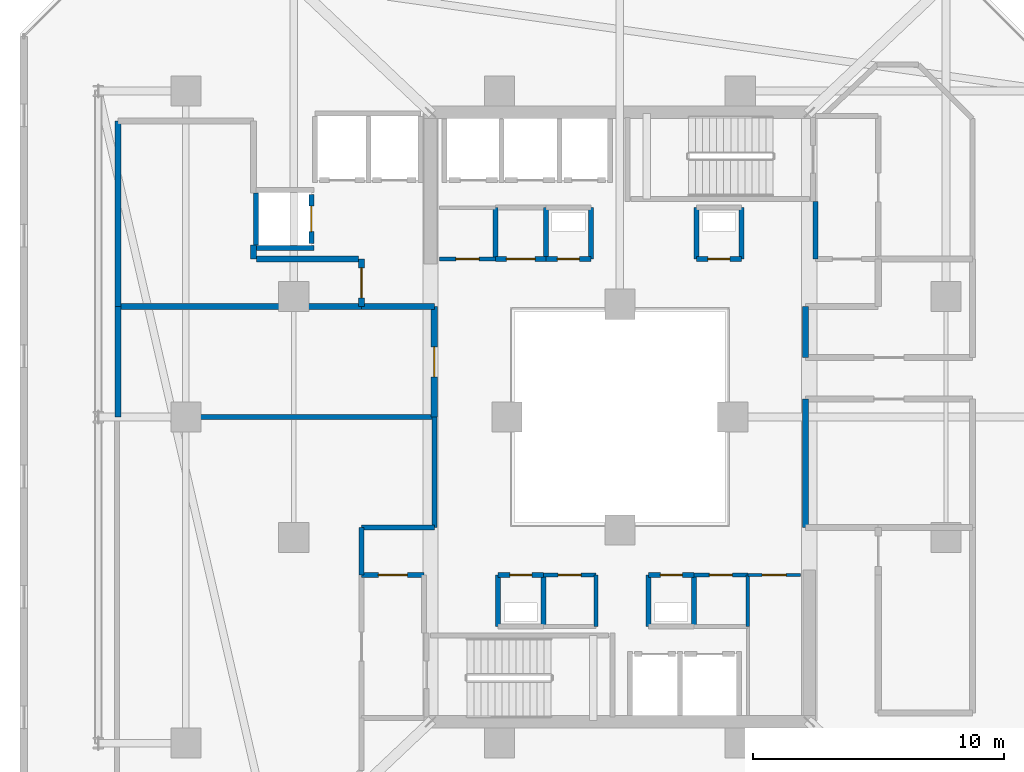
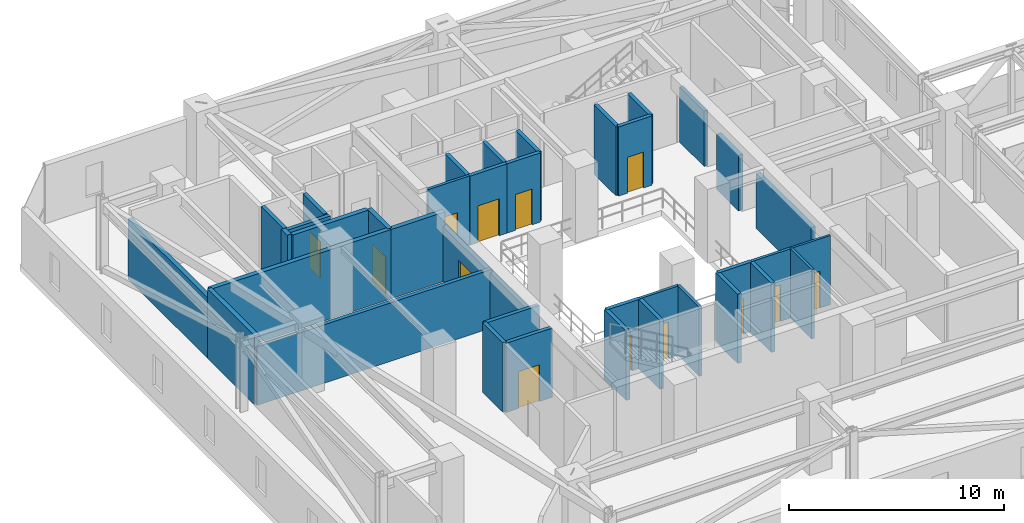
# One storey, part 36 of 45: 39 walls, 13 doors, 13 openings.
"""IFC4 building model written with IfcOpenShell, lengths in metres."""

from ifc_helpers import new_model, si_unit, direction, frame, frame_2d, origin, place, context, subcontext, project, spatial, rectangle, extrude, material, layer, layer_set, type_object, element, fill, save


model = new_model("IFC4")

# Units and contexts
model_context = context("Model", 3, precision=1e-05, world=origin(), true_north=direction((0.0, 1.0)))
body_context = subcontext(model_context, "Body", "Model", "MODEL_VIEW")
ifc_project = project(units=[si_unit("LENGTHUNIT", "METRE"), si_unit("AREAUNIT", "SQUARE_METRE"), si_unit("VOLUMEUNIT", "CUBIC_METRE"), si_unit("PLANEANGLEUNIT", "RADIAN"), si_unit("MASSUNIT", "GRAM", prefix="KILO")], contexts=[model_context])

# Site, building, storey
site_placement = place(None, origin())
site = spatial("IfcSite", under=ifc_project, at=site_placement, CompositionType="ELEMENT")
building_placement = place(site_placement, origin())
building = spatial("IfcBuilding", under=site, at=building_placement, Name="Thornwick Lancets Civic Towers", CompositionType="ELEMENT")
storey_placement = place(building_placement, frame((0.0, 0.0, 141.300048828125)))
storey = spatial("IfcBuildingStorey", under=building, at=storey_placement, Name="L37", CompositionType="ELEMENT", Elevation=141.300048828125)

# Wall, opening, door
ifc_material_1 = material(Name="Concrete blockwork C40/50", Category="masonry")
ifc_layer_1 = layer(ifc_material_1, 0.199951171875, Name="Concrete blockwork C40/50")
ifc_layer_set_1 = layer_set([ifc_layer_1], Name="Concrete blockwork C40/50")
wall_type_1 = type_object("IfcWallType", Name="WALL_COMP_200", PredefinedType="STANDARD", material=ifc_layer_set_1)
wall_1_placement = place(storey_placement, frame((13.199951171875, 33.929931640625, 0.0), z_axis=(0.0, 0.0, 1.0), x_axis=(0.0, 1.0, 0.0)))
wall_1 = element("IfcWall", 1, at=wall_1_placement, inside=storey, type_object=wall_type_1, Name="L37 Hoistway Front Wall PL-AM3", PredefinedType="STANDARD", context=body_context, shape_type="SweptSolid", body=[
    extrude(rectangle(XDim=1.940185546875, YDim=0.199951171875, at=frame_2d((0.97021484375, 0.0))), origin(), (0.0, 0.0, 1.0), 3.93994140625),
])
opening_1_placement = place(wall_1_placement, frame((0.4599609375, 0.0, 0.0)))
opening_1 = element("IfcOpeningElement", 2, at=opening_1_placement, cuts=wall_1, Name="Opening LD-PL-AM3", PredefinedType="OPENING", context=body_context, shape_type="SweptSolid", body=[
    extrude(rectangle(XDim=1.02001953125, YDim=2.06005859375, at=frame_2d((0.510009765625, 1.030029296875))), frame((0.0, 0.10986328125, 0.0), z_axis=(0.0, -1.0, 0.0), x_axis=(1.0, 0.0, 0.0)), (0.0, 0.0, 1.0), 0.219970703125),
])
ifc_material_2 = material(Name="Brushed bronze stainless steel", Category="steel")
door_type_1 = type_object("IfcDoorType", Name="DOOR_LIFT_SLIDE", OperationType="SLIDING_TO_LEFT", PredefinedType="DOOR", material=ifc_material_2)
door_1_placement = place(opening_1_placement, origin())
door_1 = element("IfcDoor", 3, at=door_1_placement, inside=storey, type_object=door_type_1, Name="L37 Sliding Lift Landing Door LD-PL-AM3", OperationType="SLIDING_TO_LEFT", OverallHeight=2.06005859375, OverallWidth=1.02001953125, PredefinedType="DOOR", context=body_context, shape_type="SweptSolid", body=[
    extrude(rectangle(XDim=1.02001953125, YDim=2.06005859375, at=frame_2d((0.510009765625, 1.030029296875))), frame((0.0, 0.02490234375, 0.0), z_axis=(0.0, -1.0, 0.0), x_axis=(1.0, 0.0, 0.0)), (0.0, 0.0, 1.0), 0.050048828125),
])
fill(opening_1, door_1)

# Walls
wall_2_placement = place(storey_placement, frame((11.001953125, 33.75, 0.0), z_axis=(0.0, 0.0, 1.0), x_axis=(1.0, 0.0, 0.0)))
element("IfcWall", 4, at=wall_2_placement, inside=storey, type_object=wall_type_1, Name="L37 Hoistway Shaft Wall PL-AM3 S", PredefinedType="STANDARD", context=body_context, shape_type="SweptSolid", body=[
    extrude(rectangle(XDim=2.296142578125, YDim=0.199951171875, at=frame_2d((1.14794921875, 0.0))), origin(), (0.0, 0.0, 1.0), 3.93994140625),
])
wall_3_placement = place(storey_placement, frame((11.0, 33.862060546875, 0.0), z_axis=(0.0, 0.0, 1.0), x_axis=(0.0, 1.0, 0.0)))
element("IfcWall", 5, at=wall_3_placement, inside=storey, type_object=wall_type_1, Name="L37 Hoistway Shaft Wall PL-AM3 W", PredefinedType="STANDARD", context=body_context, shape_type="SweptSolid", body=[
    extrude(rectangle(XDim=2.075927734375, YDim=0.199951171875, at=frame_2d((1.0380859375, 0.0))), origin(), (0.0, 0.0, 1.0), 3.93994140625),
])

# Wall, opening, door
wall_4_placement = place(storey_placement, frame((17.699951171875, 20.699951171875, 0.0), z_axis=(0.0, 0.0, 1.0), x_axis=(-1.0, 0.0, 0.0)))
wall_4 = element("IfcWall", 6, at=wall_4_placement, inside=storey, type_object=wall_type_1, Name="L37 Partition L37-A-FFLOB1 E3", PredefinedType="STANDARD", context=body_context, shape_type="SweptSolid", body=[
    extrude(rectangle(XDim=2.5, YDim=0.199951171875, at=frame_2d((1.25, 0.0))), origin(), (0.0, 0.0, 1.0), 3.93994140625),
])
opening_2_placement = place(wall_4_placement, frame((0.675048828125, 0.0, 0.0)))
opening_2 = element("IfcOpeningElement", 7, at=opening_2_placement, cuts=wall_4, Name="Opening D-L37-1667", PredefinedType="OPENING", context=body_context, shape_type="SweptSolid", body=[
    extrude(rectangle(XDim=1.14990234375, YDim=2.10009765625, at=frame_2d((0.574951171875, 1.050048828125))), frame((0.0, 0.10986328125, 0.0), z_axis=(0.0, -1.0, 0.0), x_axis=(1.0, 0.0, 0.0)), (0.0, 0.0, 1.0), 0.219970703125),
])
ifc_material_3 = material(Name="Glazed fire-resisting steel", Category="steel")
door_type_2 = type_object("IfcDoorType", Name="DOOR_LOBBY_FD60", OperationType="NOTDEFINED", PredefinedType="DOOR", material=ifc_material_3)
door_2_placement = place(opening_2_placement, origin())
door_2 = element("IfcDoor", 8, at=door_2_placement, inside=storey, type_object=door_type_2, Name="L37 South Firefighting Lobby 1 Door", OperationType="SINGLE_SWING_RIGHT", OverallHeight=2.10009765625, OverallWidth=1.14990234375, PredefinedType="DOOR", context=body_context, shape_type="SweptSolid", body=[
    extrude(rectangle(XDim=1.14990234375, YDim=2.10009765625, at=frame_2d((0.574951171875, 1.050048828125))), frame((0.0, 0.02490234375, 0.0), z_axis=(0.0, -1.0, 0.0), x_axis=(1.0, 0.0, 0.0)), (0.0, 0.0, 1.0), 0.050048828125),
])
fill(opening_2, door_2)

# Walls
wall_5_placement = place(storey_placement, frame((33.300048828125, 35.60009765625, 0.0), z_axis=(0.0, 0.0, 1.0), x_axis=(0.0, -1.0, 0.0)))
element("IfcWall", 9, at=wall_5_placement, inside=storey, type_object=wall_type_1, Name="L37 Partition L37-A-FFLOB2 E4", PredefinedType="STANDARD", context=body_context, shape_type="SweptSolid", body=[
    extrude(rectangle(XDim=2.300048828125, YDim=0.199951171875, at=frame_2d((1.14990234375, 0.0))), origin(), (0.0, 0.0, 1.0), 3.14501953125),
])
wall_6_placement = place(storey_placement, frame((28.449951171875, 18.64990234375, 0.0), z_axis=(0.0, 0.0, 1.0), x_axis=(0.0, 1.0, 0.0)))
element("IfcWall", 10, at=wall_6_placement, inside=storey, type_object=wall_type_1, Name="L37 Partition L37-A-DUCT1 E2", PredefinedType="STANDARD", context=body_context, shape_type="SweptSolid", body=[
    extrude(rectangle(XDim=2.050048828125, YDim=0.199951171875, at=frame_2d((1.02490234375, 0.0))), origin(), (0.0, 0.0, 1.0), 3.93994140625),
])

# Wall, opening, door
wall_7_placement = place(storey_placement, frame((28.449951171875, 20.699951171875, 0.0), z_axis=(0.0, 0.0, 1.0), x_axis=(-1.0, 0.0, 0.0)))
wall_7 = element("IfcWall", 11, at=wall_7_placement, inside=storey, type_object=wall_type_1, Name="L37 Partition L37-A-DUCT1 E3", PredefinedType="STANDARD", context=body_context, shape_type="SweptSolid", body=[
    extrude(rectangle(XDim=1.800048828125, YDim=0.199951171875, at=frame_2d((0.89990234375, 0.0))), origin(), (0.0, 0.0, 1.0), 3.93994140625),
])
opening_3_placement = place(wall_7_placement, frame((0.4599609375, 0.0, 0.0)))
opening_3 = element("IfcOpeningElement", 12, at=opening_3_placement, cuts=wall_7, Name="Opening D-L37-1669", PredefinedType="OPENING", context=body_context, shape_type="SweptSolid", body=[
    extrude(rectangle(XDim=0.8798828125, YDim=2.0400390625, at=frame_2d((0.43994140625, 1.02001953125))), frame((0.0, 0.10986328125, 0.0), z_axis=(0.0, -1.0, 0.0), x_axis=(1.0, 0.0, 0.0)), (0.0, 0.0, 1.0), 0.219970703125),
])
ifc_material_4 = material(Name="Steel riser access doorset", Category="steel")
door_type_3 = type_object("IfcDoorType", Name="DOOR_RISER_850", OperationType="NOTDEFINED", PredefinedType="DOOR", material=ifc_material_4)
door_3_placement = place(opening_3_placement, origin())
door_3 = element("IfcDoor", 13, at=door_3_placement, inside=storey, type_object=door_type_3, Name="L37 South Service Duct 1 Door", OperationType="SINGLE_SWING_RIGHT", OverallHeight=2.0400390625, OverallWidth=0.8798828125, PredefinedType="DOOR", context=body_context, shape_type="SweptSolid", body=[
    extrude(rectangle(XDim=0.8798828125, YDim=2.0400390625, at=frame_2d((0.43994140625, 1.02001953125))), frame((0.0, 0.02490234375, 0.0), z_axis=(0.0, -1.0, 0.0), x_axis=(1.0, 0.0, 0.0)), (0.0, 0.0, 1.0), 0.050048828125),
])
fill(opening_3, door_3)

# Walls
for number, where, z_axis, x_axis, name in (
    (14, (26.64990234375, 20.699951171875, 0.0), (0.0, 0.0, 1.0), (0.0, -1.0, 0.0), "L37 Partition L37-A-DUCT1 E4"),
    (15, (22.449951171875, 18.64990234375, 0.0), (0.0, 0.0, 1.0), (0.0, 1.0, 0.0), "L37 Partition L37-A-RISER1 E2"),
):
    element("IfcWall", number, at=place(storey_placement, frame(where, z_axis=z_axis, x_axis=x_axis)), inside=storey, type_object=wall_type_1, Name=name, PredefinedType="STANDARD", context=body_context, shape_type="SweptSolid", body=[
        extrude(rectangle(XDim=2.050048828125, YDim=0.199951171875, at=frame_2d((1.02490234375, 0.0))), origin(), (0.0, 0.0, 1.0), 3.93994140625),
    ])

# Wall, opening, door
wall_8_placement = place(storey_placement, frame((22.449951171875, 20.699951171875, 0.0), z_axis=(0.0, 0.0, 1.0), x_axis=(-1.0, 0.0, 0.0)))
wall_8 = element("IfcWall", 16, at=wall_8_placement, inside=storey, type_object=wall_type_1, Name="L37 Partition L37-A-RISER1 E3", PredefinedType="STANDARD", context=body_context, shape_type="SweptSolid", body=[
    extrude(rectangle(XDim=1.800048828125, YDim=0.199951171875, at=frame_2d((0.89990234375, 0.0))), origin(), (0.0, 0.0, 1.0), 3.93994140625),
])
opening_4_placement = place(wall_8_placement, frame((0.4599609375, 0.0, 0.0)))
opening_4 = element("IfcOpeningElement", 17, at=opening_4_placement, cuts=wall_8, Name="Opening D-L37-1670", PredefinedType="OPENING", context=body_context, shape_type="SweptSolid", body=[
    extrude(rectangle(XDim=0.8798828125, YDim=2.0400390625, at=frame_2d((0.43994140625, 1.02001953125))), frame((0.0, 0.10986328125, 0.0), z_axis=(0.0, -1.0, 0.0), x_axis=(1.0, 0.0, 0.0)), (0.0, 0.0, 1.0), 0.219970703125),
])
door_4_placement = place(opening_4_placement, origin())
door_4 = element("IfcDoor", 18, at=door_4_placement, inside=storey, type_object=door_type_3, Name="L37 South Electrical Riser 1 Door", OperationType="SINGLE_SWING_LEFT", OverallHeight=2.0400390625, OverallWidth=0.8798828125, PredefinedType="DOOR", context=body_context, shape_type="SweptSolid", body=[
    extrude(rectangle(XDim=0.8798828125, YDim=2.0400390625, at=frame_2d((0.43994140625, 1.02001953125))), frame((0.0, 0.02490234375, 0.0), z_axis=(0.0, -1.0, 0.0), x_axis=(1.0, 0.0, 0.0)), (0.0, 0.0, 1.0), 0.050048828125),
])
fill(opening_4, door_4)

# Wall
wall_9_placement = place(storey_placement, frame((20.64990234375, 20.699951171875, 0.0), z_axis=(0.0, 0.0, 1.0), x_axis=(0.0, -1.0, 0.0)))
element("IfcWall", 19, at=wall_9_placement, inside=storey, type_object=wall_type_1, Name="L37 Partition L37-A-RISER1 E4", PredefinedType="STANDARD", context=body_context, shape_type="SweptSolid", body=[
    extrude(rectangle(XDim=2.050048828125, YDim=0.199951171875, at=frame_2d((1.02490234375, 0.0))), origin(), (0.0, 0.0, 1.0), 3.93994140625),
])

# Wall, opening, door
wall_10_placement = place(storey_placement, frame((22.550048828125, 33.300048828125, 0.0), z_axis=(0.0, 0.0, 1.0), x_axis=(1.0, 0.0, 0.0)))
wall_10 = element("IfcWall", 20, at=wall_10_placement, inside=storey, type_object=wall_type_1, Name="L37 Partition L37-A-DUCT2 E1", PredefinedType="STANDARD", context=body_context, shape_type="SweptSolid", body=[
    extrude(rectangle(XDim=1.800048828125, YDim=0.199951171875, at=frame_2d((0.89990234375, 0.0))), origin(), (0.0, 0.0, 1.0), 3.93994140625),
])
opening_5_placement = place(wall_10_placement, frame((0.4599609375, 0.0, 0.0)))
opening_5 = element("IfcOpeningElement", 21, at=opening_5_placement, cuts=wall_10, Name="Opening D-L37-1671", PredefinedType="OPENING", context=body_context, shape_type="SweptSolid", body=[
    extrude(rectangle(XDim=0.8798828125, YDim=2.0400390625, at=frame_2d((0.43994140625, 1.02001953125))), frame((0.0, 0.10986328125, 0.0), z_axis=(0.0, -1.0, 0.0), x_axis=(1.0, 0.0, 0.0)), (0.0, 0.0, 1.0), 0.219970703125),
])
door_5_placement = place(opening_5_placement, origin())
door_5 = element("IfcDoor", 22, at=door_5_placement, inside=storey, type_object=door_type_3, Name="L37 North Service Duct 2 Door", OperationType="SINGLE_SWING_RIGHT", OverallHeight=2.0400390625, OverallWidth=0.8798828125, PredefinedType="DOOR", context=body_context, shape_type="SweptSolid", body=[
    extrude(rectangle(XDim=0.8798828125, YDim=2.0400390625, at=frame_2d((0.43994140625, 1.02001953125))), frame((0.0, 0.02490234375, 0.0), z_axis=(0.0, -1.0, 0.0), x_axis=(1.0, 0.0, 0.0)), (0.0, 0.0, 1.0), 0.050048828125),
])
fill(opening_5, door_5)

# Walls
for number, where, z_axis, x_axis, name in (
    (23, (24.35009765625, 33.300048828125, 0.0), (0.0, 0.0, 1.0), (0.0, 1.0, 0.0), "L37 Partition L37-A-DUCT2 E2"),
    (24, (22.550048828125, 35.35009765625, 0.0), (0.0, 0.0, 1.0), (0.0, -1.0, 0.0), "L37 Partition L37-A-DUCT2 E4"),
):
    element("IfcWall", number, at=place(storey_placement, frame(where, z_axis=z_axis, x_axis=x_axis)), inside=storey, type_object=wall_type_1, Name=name, PredefinedType="STANDARD", context=body_context, shape_type="SweptSolid", body=[
        extrude(rectangle(XDim=2.050048828125, YDim=0.199951171875, at=frame_2d((1.02490234375, 0.0))), origin(), (0.0, 0.0, 1.0), 3.93994140625),
    ])

# Wall, opening, door
wall_11_placement = place(storey_placement, frame((28.550048828125, 33.300048828125, 0.0), z_axis=(0.0, 0.0, 1.0), x_axis=(1.0, 0.0, 0.0)))
wall_11 = element("IfcWall", 25, at=wall_11_placement, inside=storey, type_object=wall_type_1, Name="L37 Partition L37-A-RISER2 E1", PredefinedType="STANDARD", context=body_context, shape_type="SweptSolid", body=[
    extrude(rectangle(XDim=1.800048828125, YDim=0.199951171875, at=frame_2d((0.89990234375, 0.0))), origin(), (0.0, 0.0, 1.0), 3.93994140625),
])
opening_6_placement = place(wall_11_placement, frame((0.4599609375, 0.0, 0.0)))
opening_6 = element("IfcOpeningElement", 26, at=opening_6_placement, cuts=wall_11, Name="Opening D-L37-1672", PredefinedType="OPENING", context=body_context, shape_type="SweptSolid", body=[
    extrude(rectangle(XDim=0.8798828125, YDim=2.0400390625, at=frame_2d((0.43994140625, 1.02001953125))), frame((0.0, 0.10986328125, 0.0), z_axis=(0.0, -1.0, 0.0), x_axis=(1.0, 0.0, 0.0)), (0.0, 0.0, 1.0), 0.219970703125),
])
door_6_placement = place(opening_6_placement, origin())
door_6 = element("IfcDoor", 27, at=door_6_placement, inside=storey, type_object=door_type_3, Name="L37 North Service Riser 2 Door", OperationType="SINGLE_SWING_LEFT", OverallHeight=2.0400390625, OverallWidth=0.8798828125, PredefinedType="DOOR", context=body_context, shape_type="SweptSolid", body=[
    extrude(rectangle(XDim=0.8798828125, YDim=2.0400390625, at=frame_2d((0.43994140625, 1.02001953125))), frame((0.0, 0.02490234375, 0.0), z_axis=(0.0, -1.0, 0.0), x_axis=(1.0, 0.0, 0.0)), (0.0, 0.0, 1.0), 0.050048828125),
])
fill(opening_6, door_6)

# Walls
for number, where, z_axis, x_axis, name in (
    (28, (30.35009765625, 33.300048828125, 0.0), (0.0, 0.0, 1.0), (0.0, 1.0, 0.0), "L37 Partition L37-A-RISER2 E2"),
    (29, (28.550048828125, 35.35009765625, 0.0), (0.0, 0.0, 1.0), (0.0, -1.0, 0.0), "L37 Partition L37-A-RISER2 E4"),
    (30, (20.550048828125, 33.300048828125, 0.0), (0.0, 0.0, 1.0), (0.0, 1.0, 0.0), "L37 Partition L37-A-STR E1"),
):
    element("IfcWall", number, at=place(storey_placement, frame(where, z_axis=z_axis, x_axis=x_axis)), inside=storey, type_object=wall_type_1, Name=name, PredefinedType="STANDARD", context=body_context, shape_type="SweptSolid", body=[
        extrude(rectangle(XDim=2.050048828125, YDim=0.199951171875, at=frame_2d((1.02490234375, 0.0))), origin(), (0.0, 0.0, 1.0), 3.93994140625),
    ])

# Wall, opening, door
wall_12_placement = place(storey_placement, frame((22.550048828125, 33.300048828125, 0.0), z_axis=(0.0, 0.0, 1.0), x_axis=(-1.0, 0.0, 0.0)))
wall_12 = element("IfcWall", 31, at=wall_12_placement, inside=storey, type_object=wall_type_1, Name="L37 Partition L37-A-STR E4", PredefinedType="STANDARD", context=body_context, shape_type="SweptSolid", body=[
    extrude(rectangle(XDim=2.0, YDim=0.199951171875, at=frame_2d((1.0, 0.0))), origin(), (0.0, 0.0, 1.0), 3.93994140625),
])
opening_7_placement = place(wall_12_placement, frame((0.425048828125, 0.0, 0.0)))
opening_7 = element("IfcOpeningElement", 32, at=opening_7_placement, cuts=wall_12, Name="Opening D-L37-1677", PredefinedType="OPENING", context=body_context, shape_type="SweptSolid", body=[
    extrude(rectangle(XDim=1.14990234375, YDim=2.10009765625, at=frame_2d((0.574951171875, 1.050048828125))), frame((0.0, 0.10986328125, 0.0), z_axis=(0.0, -1.0, 0.0), x_axis=(1.0, 0.0, 0.0)), (0.0, 0.0, 1.0), 0.219970703125),
])
door_7_placement = place(opening_7_placement, origin())
door_7 = element("IfcDoor", 33, at=door_7_placement, inside=storey, type_object=door_type_2, Name="L37 Tower A Core Records Store Door", OperationType="SINGLE_SWING_RIGHT", OverallHeight=2.10009765625, OverallWidth=1.14990234375, PredefinedType="DOOR", context=body_context, shape_type="SweptSolid", body=[
    extrude(rectangle(XDim=1.14990234375, YDim=2.10009765625, at=frame_2d((0.574951171875, 1.050048828125))), frame((0.0, 0.02490234375, 0.0), z_axis=(0.0, -1.0, 0.0), x_axis=(1.0, 0.0, 0.0)), (0.0, 0.0, 1.0), 0.050048828125),
])
fill(opening_7, door_7)

# Walls
wall_13_placement = place(storey_placement, frame((18.10009765625, 22.60009765625, 0.0), z_axis=(0.0, 0.0, 1.0), x_axis=(-1.0, 0.0, 0.0)))
element("IfcWall", 34, at=wall_13_placement, inside=storey, type_object=wall_type_1, Name="L37 Partition L37-A-REF1 E1", PredefinedType="STANDARD", context=body_context, shape_type="SweptSolid", body=[
    extrude(rectangle(XDim=2.900146484375, YDim=0.199951171875, at=frame_2d((1.4501953125, 0.0))), origin(), (0.0, 0.0, 1.0), 3.93994140625),
])
wall_14_placement = place(storey_placement, frame((15.199951171875, 22.60009765625, 0.0), z_axis=(0.0, 0.0, 1.0), x_axis=(0.0, -1.0, 0.0)))
element("IfcWall", 35, at=wall_14_placement, inside=storey, type_object=wall_type_1, Name="L37 Partition L37-A-REF1 E2", PredefinedType="STANDARD", context=body_context, shape_type="SweptSolid", body=[
    extrude(rectangle(XDim=1.900146484375, YDim=0.199951171875, at=frame_2d((0.9501953125, 0.0))), origin(), (0.0, 0.0, 1.0), 3.93994140625),
])
wall_15_placement = place(storey_placement, frame((5.449951171875, 27.0, 0.0), z_axis=(0.0, 0.0, 1.0), x_axis=(1.0, 0.0, 0.0)))
element("IfcWall", 36, at=wall_15_placement, inside=storey, type_object=wall_type_1, Name="L37 Partition L37-A-REF1 E9", PredefinedType="STANDARD", context=body_context, shape_type="SweptSolid", body=[
    extrude(rectangle(XDim=12.650146484375, YDim=0.199951171875, at=frame_2d((6.3251953125, 0.0))), origin(), (0.0, 0.0, 1.0), 3.32470703125),
])
wall_16_placement = place(storey_placement, frame((18.10009765625, 27.0, 0.0), z_axis=(0.0, 0.0, 1.0), x_axis=(0.0, -1.0, 0.0)))
element("IfcWall", 37, at=wall_16_placement, inside=storey, type_object=wall_type_1, Name="L37 Partition L37-A-REF1 E10", PredefinedType="STANDARD", context=body_context, shape_type="SweptSolid", body=[
    extrude(rectangle(XDim=4.39990234375, YDim=0.199951171875, at=frame_2d((2.199951171875, 0.0))), origin(), (0.0, 0.0, 1.0), 3.14501953125),
])
ifc_layer_2 = layer(ifc_material_1, 0.239990234375, Name="Concrete blockwork C40/50")
ifc_layer_set_2 = layer_set([ifc_layer_2], Name="Concrete blockwork C40/50")
wall_type_2 = type_object("IfcWallType", Name="WALL_COMP_240", PredefinedType="STANDARD", material=ifc_layer_set_2)
wall_17_placement = place(storey_placement, frame((32.89990234375, 22.60009765625, 0.0), z_axis=(0.0, 0.0, 1.0), x_axis=(0.0, 1.0, 0.0)))
element("IfcWall", 38, at=wall_17_placement, inside=storey, type_object=wall_type_2, Name="L37 Partition L37-A-PL-SMK E5", PredefinedType="STANDARD", context=body_context, shape_type="SweptSolid", body=[
    extrude(rectangle(XDim=5.119873046875, YDim=0.239990234375, at=frame_2d((2.56005859375, 0.0))), origin(), (0.0, 0.0, 1.0), 3.14501953125),
])
wall_18_placement = place(storey_placement, frame((32.89990234375, 29.3798828125, 0.0), z_axis=(0.0, 0.0, 1.0), x_axis=(0.0, 1.0, 0.0)))
element("IfcWall", 39, at=wall_18_placement, inside=storey, type_object=wall_type_2, Name="L37 Partition L37-A-PL-PRS E6", PredefinedType="STANDARD", context=body_context, shape_type="SweptSolid", body=[
    extrude(rectangle(XDim=2.02001953125, YDim=0.239990234375, at=frame_2d((1.010009765625, 0.0))), origin(), (0.0, 0.0, 1.0), 3.14501953125),
])
wall_19_placement = place(storey_placement, frame((5.5, 31.39990234375, 0.0), z_axis=(0.0, 0.0, 1.0), x_axis=(1.0, 0.0, 0.0)))
element("IfcWall", 40, at=wall_19_placement, inside=storey, type_object=wall_type_2, Name="L37 Partition L37-A-PL-AHU E1", PredefinedType="STANDARD", context=body_context, shape_type="SweptSolid", body=[
    extrude(rectangle(XDim=9.699951171875, YDim=0.239990234375, at=frame_2d((4.85009765625, 0.0))), origin(), (0.0, 0.0, 1.0), 3.93994140625),
])
wall_20_placement = place(storey_placement, frame((15.199951171875, 31.39990234375, 0.0), z_axis=(0.0, 0.0, 1.0), x_axis=(1.0, 0.0, 0.0)))
element("IfcWall", 41, at=wall_20_placement, inside=storey, type_object=wall_type_2, Name="L37 Partition L37-A-PL-AHU E2", PredefinedType="STANDARD", context=body_context, shape_type="SweptSolid", body=[
    extrude(rectangle(XDim=2.900146484375, YDim=0.239990234375, at=frame_2d((1.4501953125, 0.0))), origin(), (0.0, 0.0, 1.0), 3.93994140625),
])

# Wall, opening, door
wall_21_placement = place(storey_placement, frame((18.10009765625, 31.39990234375, 0.0), z_axis=(0.0, 0.0, 1.0), x_axis=(0.0, -1.0, 0.0)))
wall_21 = element("IfcWall", 42, at=wall_21_placement, inside=storey, type_object=wall_type_2, Name="L37 Partition L37-A-PL-AHU E3", PredefinedType="STANDARD", context=body_context, shape_type="SweptSolid", body=[
    extrude(rectangle(XDim=4.39990234375, YDim=0.239990234375, at=frame_2d((2.199951171875, 0.0))), origin(), (0.0, 0.0, 1.0), 3.14501953125),
])
opening_8_placement = place(wall_21_placement, frame((1.60009765625, 0.0, 0.0)))
opening_8 = element("IfcOpeningElement", 43, at=opening_8_placement, cuts=wall_21, Name="Opening D-L37-1693", PredefinedType="OPENING", context=body_context, shape_type="SweptSolid", body=[
    extrude(rectangle(XDim=1.199951171875, YDim=2.10009765625, at=frame_2d((0.60009765625, 1.050048828125))), frame((0.0, 0.1298828125, 0.0), z_axis=(0.0, -1.0, 0.0), x_axis=(1.0, 0.0, 0.0)), (0.0, 0.0, 1.0), 0.260009765625),
])
ifc_material_5 = material(Name="Steel plant room doorset", Category="steel")
door_type_4 = type_object("IfcDoorType", Name="DOOR_PLANT_1200", OperationType="NOTDEFINED", PredefinedType="DOOR", material=ifc_material_5)
door_8_placement = place(opening_8_placement, origin())
door_8 = element("IfcDoor", 44, at=door_8_placement, inside=storey, type_object=door_type_4, Name="L37 Tower A AHU and Ventilation Plant Room Door", OperationType="SINGLE_SWING_RIGHT", OverallHeight=2.10009765625, OverallWidth=1.199951171875, PredefinedType="DOOR", context=body_context, shape_type="SweptSolid", body=[
    extrude(rectangle(XDim=1.199951171875, YDim=2.10009765625, at=frame_2d((0.60009765625, 1.050048828125))), frame((0.0, 0.02490234375, 0.0), z_axis=(0.0, -1.0, 0.0), x_axis=(1.0, 0.0, 0.0)), (0.0, 0.0, 1.0), 0.050048828125),
])
fill(opening_8, door_8)

# Walls
wall_22_placement = place(storey_placement, frame((5.5, 27.0, 0.0), z_axis=(0.0, 0.0, 1.0), x_axis=(0.0, 1.0, 0.0)))
element("IfcWall", 45, at=wall_22_placement, inside=storey, type_object=wall_type_2, Name="L37 Partition L37-A-PL-AHU E5", PredefinedType="STANDARD", context=body_context, shape_type="SweptSolid", body=[
    extrude(rectangle(XDim=4.39990234375, YDim=0.239990234375, at=frame_2d((2.199951171875, 0.0))), origin(), (0.0, 0.0, 1.0), 3.93994140625),
])
wall_23_placement = place(storey_placement, frame((10.89990234375, 33.862060546875, 0.0), z_axis=(0.0, 0.0, 1.0), x_axis=(0.0, -1.0, 0.0)))
element("IfcWall", 46, at=wall_23_placement, inside=storey, type_object=wall_type_2, Name="L37 Partition L37-A-PL-ELC E1", PredefinedType="STANDARD", context=body_context, shape_type="SweptSolid", body=[
    extrude(rectangle(XDim=0.56201171875, YDim=0.239990234375, at=frame_2d((0.281005859375, 0.0))), origin(), (0.0, 0.0, 1.0), 3.93994140625),
])
wall_24_placement = place(storey_placement, frame((11.02001953125, 33.300048828125, 0.0), z_axis=(0.0, 0.0, 1.0), x_axis=(1.0, 0.0, 0.0)))
element("IfcWall", 47, at=wall_24_placement, inside=storey, type_object=wall_type_2, Name="L37 Partition L37-A-PL-ELC E2", PredefinedType="STANDARD", context=body_context, shape_type="SweptSolid", body=[
    extrude(rectangle(XDim=4.06005859375, YDim=0.239990234375, at=frame_2d((2.030029296875, 0.0))), origin(), (0.0, 0.0, 1.0), 3.93994140625),
])

# Wall, opening, door
wall_25_placement = place(storey_placement, frame((15.199951171875, 33.300048828125, 0.0), z_axis=(0.0, 0.0, 1.0), x_axis=(0.0, -1.0, 0.0)))
wall_25 = element("IfcWall", 48, at=wall_25_placement, inside=storey, type_object=wall_type_2, Name="L37 Partition L37-A-PL-ELC E3", PredefinedType="STANDARD", context=body_context, shape_type="SweptSolid", body=[
    extrude(rectangle(XDim=1.900146484375, YDim=0.239990234375, at=frame_2d((0.9501953125, 0.0))), origin(), (0.0, 0.0, 1.0), 3.93994140625),
])
opening_9_placement = place(wall_25_placement, frame((0.35009765625, 0.0, 0.0)))
opening_9 = element("IfcOpeningElement", 49, at=opening_9_placement, cuts=wall_25, Name="Opening D-L37-1695", PredefinedType="OPENING", context=body_context, shape_type="SweptSolid", body=[
    extrude(rectangle(XDim=1.199951171875, YDim=2.10009765625, at=frame_2d((0.60009765625, 1.050048828125))), frame((0.0, 0.1298828125, 0.0), z_axis=(0.0, -1.0, 0.0), x_axis=(1.0, 0.0, 0.0)), (0.0, 0.0, 1.0), 0.260009765625),
])
door_9_placement = place(opening_9_placement, origin())
door_9 = element("IfcDoor", 50, at=door_9_placement, inside=storey, type_object=door_type_4, Name="L37 Tower A LV Switchgear Room Door", OperationType="SINGLE_SWING_RIGHT", OverallHeight=2.10009765625, OverallWidth=1.199951171875, PredefinedType="DOOR", context=body_context, shape_type="SweptSolid", body=[
    extrude(rectangle(XDim=1.199951171875, YDim=2.10009765625, at=frame_2d((0.60009765625, 1.050048828125))), frame((0.0, 0.02490234375, 0.0), z_axis=(0.0, -1.0, 0.0), x_axis=(1.0, 0.0, 0.0)), (0.0, 0.0, 1.0), 0.050048828125),
])
fill(opening_9, door_9)

# Wall
wall_26_placement = place(storey_placement, frame((5.5, 31.39990234375, 0.0), z_axis=(0.0, 0.0, 1.0), x_axis=(0.0, 1.0, 0.0)))
element("IfcWall", 51, at=wall_26_placement, inside=storey, type_object=wall_type_2, Name="L37 Partition L37-A-PL-ELC E5", PredefinedType="STANDARD", context=body_context, shape_type="SweptSolid", body=[
    extrude(rectangle(XDim=7.400146484375, YDim=0.239990234375, at=frame_2d((3.7001953125, 0.0))), origin(), (0.0, 0.0, 1.0), 3.445068359375),
])

# Wall, opening, door
ifc_material_6 = material(Name="Acoustic gypsum board partition")
ifc_layer_3 = layer(ifc_material_6, 0.1201171875, Name="Acoustic gypsum board partition")
ifc_layer_set_3 = layer_set([ifc_layer_3], Name="Acoustic gypsum board partition")
wall_type_3 = type_object("IfcWallType", Name="WALL_PART_120", PredefinedType="PARTITIONING", material=ifc_layer_set_3)
wall_27_placement = place(storey_placement, frame((30.60009765625, 20.699951171875, 0.0), z_axis=(0.0, 0.0, 1.0), x_axis=(1.0, 0.0, 0.0)))
wall_27 = element("IfcWall", 52, at=wall_27_placement, inside=storey, type_object=wall_type_3, Name="L37 Partition L37-A-ITR E5", PredefinedType="PARTITIONING", context=body_context, shape_type="SweptSolid", body=[
    extrude(rectangle(XDim=2.099853515625, YDim=0.1201171875, at=frame_2d((1.0498046875, 0.0))), origin(), (0.0, 0.0, 1.0), 3.93994140625),
])
opening_10_placement = place(wall_27_placement, frame((0.574951171875, 0.0, 0.0)))
opening_10 = element("IfcOpeningElement", 53, at=opening_10_placement, cuts=wall_27, Name="Opening D-L37-1675", PredefinedType="OPENING", context=body_context, shape_type="SweptSolid", body=[
    extrude(rectangle(XDim=0.949951171875, YDim=2.10009765625, at=frame_2d((0.47509765625, 1.050048828125))), frame((0.0, 0.070068359375, 0.0), z_axis=(0.0, -1.0, 0.0), x_axis=(1.0, 0.0, 0.0)), (0.0, 0.0, 1.0), 0.14013671875),
])
ifc_material_7 = material(Name="European oak acoustic doorset")
door_type_5 = type_object("IfcDoorType", Name="DOOR_OFFICE_950", OperationType="NOTDEFINED", PredefinedType="DOOR", material=ifc_material_7)
door_10_placement = place(opening_10_placement, origin())
door_10 = element("IfcDoor", 54, at=door_10_placement, inside=storey, type_object=door_type_5, Name="L37 Tower A Comms Patch Room Door", OperationType="SINGLE_SWING_RIGHT", OverallHeight=2.10009765625, OverallWidth=0.949951171875, PredefinedType="DOOR", context=body_context, shape_type="SweptSolid", body=[
    extrude(rectangle(XDim=0.949951171875, YDim=2.10009765625, at=frame_2d((0.47509765625, 1.050048828125))), frame((0.0, 0.02490234375, 0.0), z_axis=(0.0, -1.0, 0.0), x_axis=(1.0, 0.0, 0.0)), (0.0, 0.0, 1.0), 0.050048828125),
])
fill(opening_10, door_10)

# Wall
ifc_material_8 = material(Name="Twin-stud acoustic gypsum board")
ifc_layer_4 = layer(ifc_material_8, 0.14990234375, Name="Twin-stud acoustic gypsum board")
ifc_layer_set_4 = layer_set([ifc_layer_4], Name="Twin-stud acoustic gypsum board")
wall_type_4 = type_object("IfcWallType", Name="WALL_PART_150", PredefinedType="PARTITIONING", material=ifc_layer_set_4)
wall_28_placement = place(storey_placement, frame((24.550048828125, 20.699951171875, 0.0), z_axis=(0.0, 0.0, 1.0), x_axis=(0.0, -1.0, 0.0)))
element("IfcWall", 55, at=wall_28_placement, inside=storey, type_object=wall_type_4, Name="L37 Partition L37-A-MWC E1", PredefinedType="PARTITIONING", context=body_context, shape_type="SweptSolid", body=[
    extrude(rectangle(XDim=2.050048828125, YDim=0.14990234375, at=frame_2d((1.02490234375, 0.0))), origin(), (0.0, 0.0, 1.0), 3.93994140625),
])

# Wall, opening, door
wall_29_placement = place(storey_placement, frame((22.449951171875, 20.699951171875, 0.0), z_axis=(0.0, 0.0, 1.0), x_axis=(1.0, 0.0, 0.0)))
wall_29 = element("IfcWall", 56, at=wall_29_placement, inside=storey, type_object=wall_type_4, Name="L37 Partition L37-A-MWC E4", PredefinedType="PARTITIONING", context=body_context, shape_type="SweptSolid", body=[
    extrude(rectangle(XDim=2.10009765625, YDim=0.14990234375, at=frame_2d((1.050048828125, 0.0))), origin(), (0.0, 0.0, 1.0), 3.93994140625),
])
opening_11_placement = place(wall_29_placement, frame((0.590087890625, 0.0, 0.0)))
opening_11 = element("IfcOpeningElement", 57, at=opening_11_placement, cuts=wall_29, Name="Opening D-L37-1673", PredefinedType="OPENING", context=body_context, shape_type="SweptSolid", body=[
    extrude(rectangle(XDim=0.919921875, YDim=2.080078125, at=frame_2d((0.4599609375, 1.0400390625))), frame((0.0, 0.0849609375, 0.0), z_axis=(0.0, -1.0, 0.0), x_axis=(1.0, 0.0, 0.0)), (0.0, 0.0, 1.0), 0.169921875),
])
ifc_material_9 = material(Name="Moisture-resistant oak doorset")
door_type_6 = type_object("IfcDoorType", Name="DOOR_WC_900", OperationType="NOTDEFINED", PredefinedType="DOOR", material=ifc_material_9)
door_11_placement = place(opening_11_placement, origin())
door_11 = element("IfcDoor", 58, at=door_11_placement, inside=storey, type_object=door_type_6, Name="L37 Tower A Male WC Door", OperationType="SINGLE_SWING_RIGHT", OverallHeight=2.080078125, OverallWidth=0.919921875, PredefinedType="DOOR", context=body_context, shape_type="SweptSolid", body=[
    extrude(rectangle(XDim=0.919921875, YDim=2.080078125, at=frame_2d((0.4599609375, 1.0400390625))), frame((0.0, 0.02490234375, 0.0), z_axis=(0.0, -1.0, 0.0), x_axis=(1.0, 0.0, 0.0)), (0.0, 0.0, 1.0), 0.050048828125),
])
fill(opening_11, door_11)

# Wall
wall_30_placement = place(storey_placement, frame((30.60009765625, 20.699951171875, 0.0), z_axis=(0.0, 0.0, 1.0), x_axis=(0.0, -1.0, 0.0)))
element("IfcWall", 59, at=wall_30_placement, inside=storey, type_object=wall_type_4, Name="L37 Partition L37-A-FWC E1", PredefinedType="PARTITIONING", context=body_context, shape_type="SweptSolid", body=[
    extrude(rectangle(XDim=2.050048828125, YDim=0.14990234375, at=frame_2d((1.02490234375, 0.0))), origin(), (0.0, 0.0, 1.0), 3.93994140625),
])

# Wall, opening, door
wall_31_placement = place(storey_placement, frame((28.449951171875, 20.699951171875, 0.0), z_axis=(0.0, 0.0, 1.0), x_axis=(1.0, 0.0, 0.0)))
wall_31 = element("IfcWall", 60, at=wall_31_placement, inside=storey, type_object=wall_type_4, Name="L37 Partition L37-A-FWC E4", PredefinedType="PARTITIONING", context=body_context, shape_type="SweptSolid", body=[
    extrude(rectangle(XDim=2.150146484375, YDim=0.14990234375, at=frame_2d((1.0751953125, 0.0))), origin(), (0.0, 0.0, 1.0), 3.93994140625),
])
opening_12_placement = place(wall_31_placement, frame((0.614990234375, 0.0, 0.0)))
opening_12 = element("IfcOpeningElement", 61, at=opening_12_placement, cuts=wall_31, Name="Opening D-L37-1674", PredefinedType="OPENING", context=body_context, shape_type="SweptSolid", body=[
    extrude(rectangle(XDim=0.919921875, YDim=2.080078125, at=frame_2d((0.4599609375, 1.0400390625))), frame((0.0, 0.0849609375, 0.0), z_axis=(0.0, -1.0, 0.0), x_axis=(1.0, 0.0, 0.0)), (0.0, 0.0, 1.0), 0.169921875),
])
door_12_placement = place(opening_12_placement, origin())
door_12 = element("IfcDoor", 62, at=door_12_placement, inside=storey, type_object=door_type_6, Name="L37 Tower A Female WC Door", OperationType="SINGLE_SWING_LEFT", OverallHeight=2.080078125, OverallWidth=0.919921875, PredefinedType="DOOR", context=body_context, shape_type="SweptSolid", body=[
    extrude(rectangle(XDim=0.919921875, YDim=2.080078125, at=frame_2d((0.4599609375, 1.0400390625))), frame((0.0, 0.02490234375, 0.0), z_axis=(0.0, -1.0, 0.0), x_axis=(1.0, 0.0, 0.0)), (0.0, 0.0, 1.0), 0.050048828125),
])
fill(opening_12, door_12)

wall_32_placement = place(storey_placement, frame((18.300048828125, 33.300048828125, 0.0), z_axis=(0.0, 0.0, 1.0), x_axis=(1.0, 0.0, 0.0)))
wall_32 = element("IfcWall", 63, at=wall_32_placement, inside=storey, type_object=wall_type_4, Name="L37 Partition L37-A-AWC E1", PredefinedType="PARTITIONING", context=body_context, shape_type="SweptSolid", body=[
    extrude(rectangle(XDim=2.25, YDim=0.14990234375, at=frame_2d((1.125, 0.0))), origin(), (0.0, 0.0, 1.0), 3.93994140625),
])
opening_13_placement = place(wall_32_placement, frame((0.6650390625, 0.0, 0.0)))
opening_13 = element("IfcOpeningElement", 64, at=opening_13_placement, cuts=wall_32, Name="Opening D-L37-1676", PredefinedType="OPENING", context=body_context, shape_type="SweptSolid", body=[
    extrude(rectangle(XDim=0.919921875, YDim=2.080078125, at=frame_2d((0.4599609375, 1.0400390625))), frame((0.0, 0.0849609375, 0.0), z_axis=(0.0, -1.0, 0.0), x_axis=(1.0, 0.0, 0.0)), (0.0, 0.0, 1.0), 0.169921875),
])
door_13_placement = place(opening_13_placement, origin())
door_13 = element("IfcDoor", 65, at=door_13_placement, inside=storey, type_object=door_type_6, Name="L37 Tower A Accessible WC Door", OperationType="SINGLE_SWING_LEFT", OverallHeight=2.080078125, OverallWidth=0.919921875, PredefinedType="DOOR", context=body_context, shape_type="SweptSolid", body=[
    extrude(rectangle(XDim=0.919921875, YDim=2.080078125, at=frame_2d((0.4599609375, 1.0400390625))), frame((0.0, 0.02490234375, 0.0), z_axis=(0.0, -1.0, 0.0), x_axis=(1.0, 0.0, 0.0)), (0.0, 0.0, 1.0), 0.050048828125),
])
fill(opening_13, door_13)

save(model, "model.ifc")
